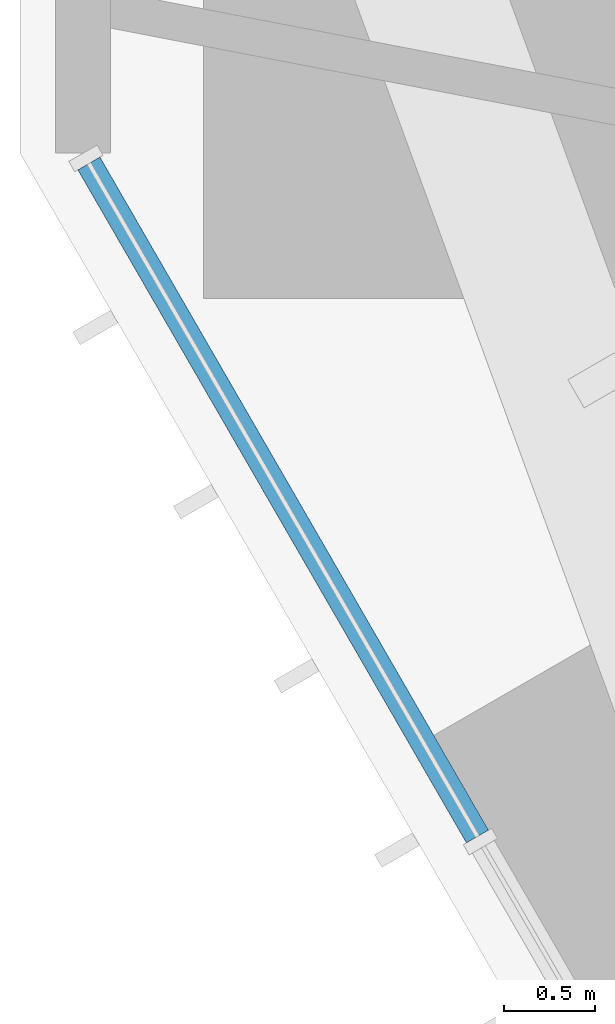
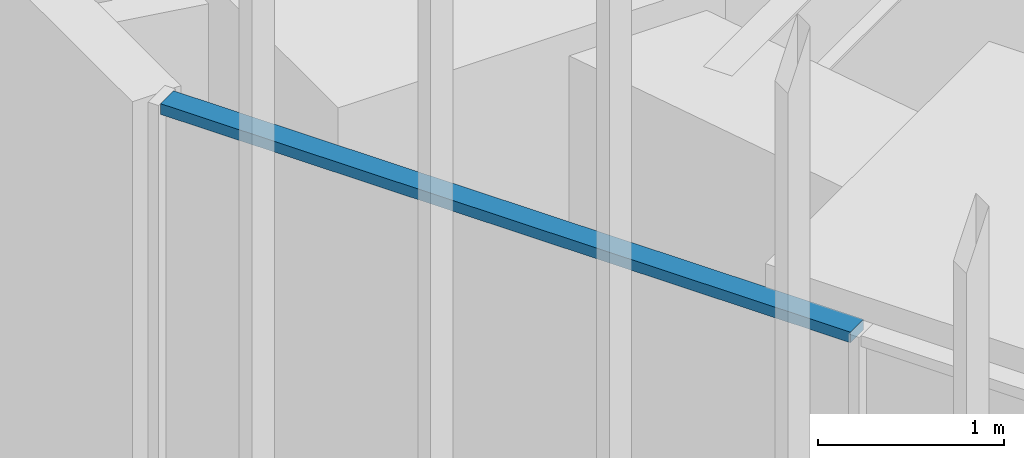
# One storey, part 133 of 256: 1 member, 1 element without a shape of its own.
"""IFC4 building model written with IfcOpenShell, lengths in metres."""

from ifc_helpers import new_model, si_unit, direction, frame, origin, origin_2d, place, context, subcontext, project, spatial, rectangle, extrude, material, material_profile, profile_set, type_object, element, aggregate, save


model = new_model("IFC4")

# Units and contexts
model_context = context("Model", 3, precision=1e-05, world=origin(), true_north=direction((0.0, 1.0)))
body_context = subcontext(model_context, "Body", "Model", "MODEL_VIEW")
ifc_project = project(units=[si_unit("LENGTHUNIT", "METRE"), si_unit("AREAUNIT", "SQUARE_METRE"), si_unit("VOLUMEUNIT", "CUBIC_METRE"), si_unit("PLANEANGLEUNIT", "RADIAN"), si_unit("MASSUNIT", "GRAM", prefix="KILO")], contexts=[model_context])

# Site, building, storey
site_placement = place(None, origin())
site = spatial("IfcSite", under=ifc_project, at=site_placement, CompositionType="ELEMENT")
building_placement = place(site_placement, origin())
building = spatial("IfcBuilding", under=site, at=building_placement, Name="Sandreach Pilgrim Tower", CompositionType="ELEMENT")
storey_placement = place(building_placement, frame((0.0, 0.0, 23.0)))
storey = spatial("IfcBuildingStorey", under=building, at=storey_placement, Name="L04", CompositionType="ELEMENT", Elevation=23.0)

# Curtain wall, member
ifc_material_1 = material(Name="Aluminium framed curtain wall", Category="aluminium")
curtain_wall_type = type_object("IfcCurtainWallType", Name="Hostel tower curtain wall", PredefinedType="NOTDEFINED", material=ifc_material_1)
curtain_wall_placement = place(storey_placement, origin())
curtain_wall = element("IfcCurtainWall", 1, at=curtain_wall_placement, inside=storey, type_object=curtain_wall_type, Name="CW-1 L04 SW", PredefinedType="NOTDEFINED")
ifc_material_2 = material(Name="Aluminium extrusion", Category="aluminium")
ifc_material_profile = material_profile(ifc_material_2, rectangle(XDim=0.139892578125, YDim=0.070068359375, at=origin_2d()), Name="CW-1T 140X70")
ifc_profile_set = profile_set([ifc_material_profile], Name="Aluminium extrusion")
member_type = type_object("IfcMemberType", Name="CW-1 transom", PredefinedType="USERDEFINED", material=ifc_profile_set)
member_placement = place(storey_placement, frame((-28.40673828125, 1.304443359375, 3.60498046875), z_axis=(-0.499991113271, 0.866030534479, 0.0), x_axis=(-0.866030534479, -0.499991113271, 0.0)))
member = element("IfcMember", 2, at=member_placement, type_object=member_type, Name="CW-1 head transom 9", ObjectType="TRANSOM", PredefinedType="USERDEFINED", context=body_context, shape_type="SweptSolid", body=[
    extrude(rectangle(XDim=0.139892578125, YDim=0.070068359375, at=origin_2d()), origin(), (0.0, 0.0, 1.0), 4.27392578125),
])
aggregate(curtain_wall, [member])

save(model, "model.ifc")
